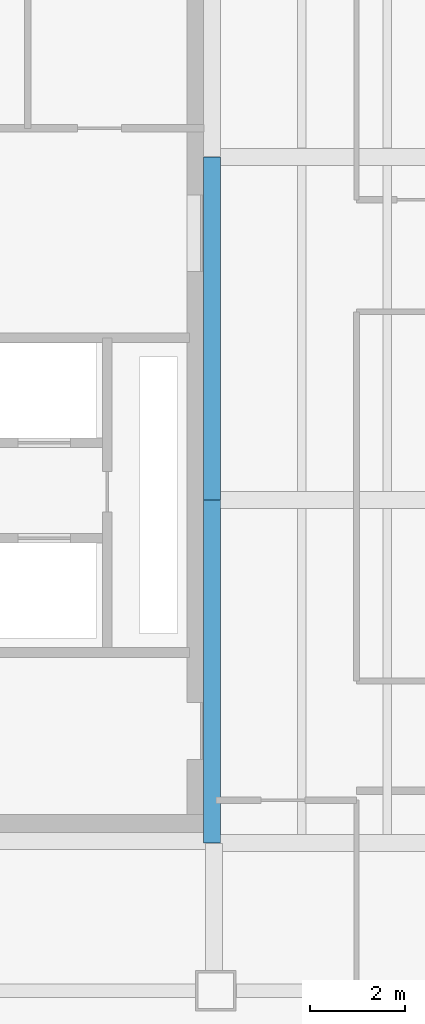
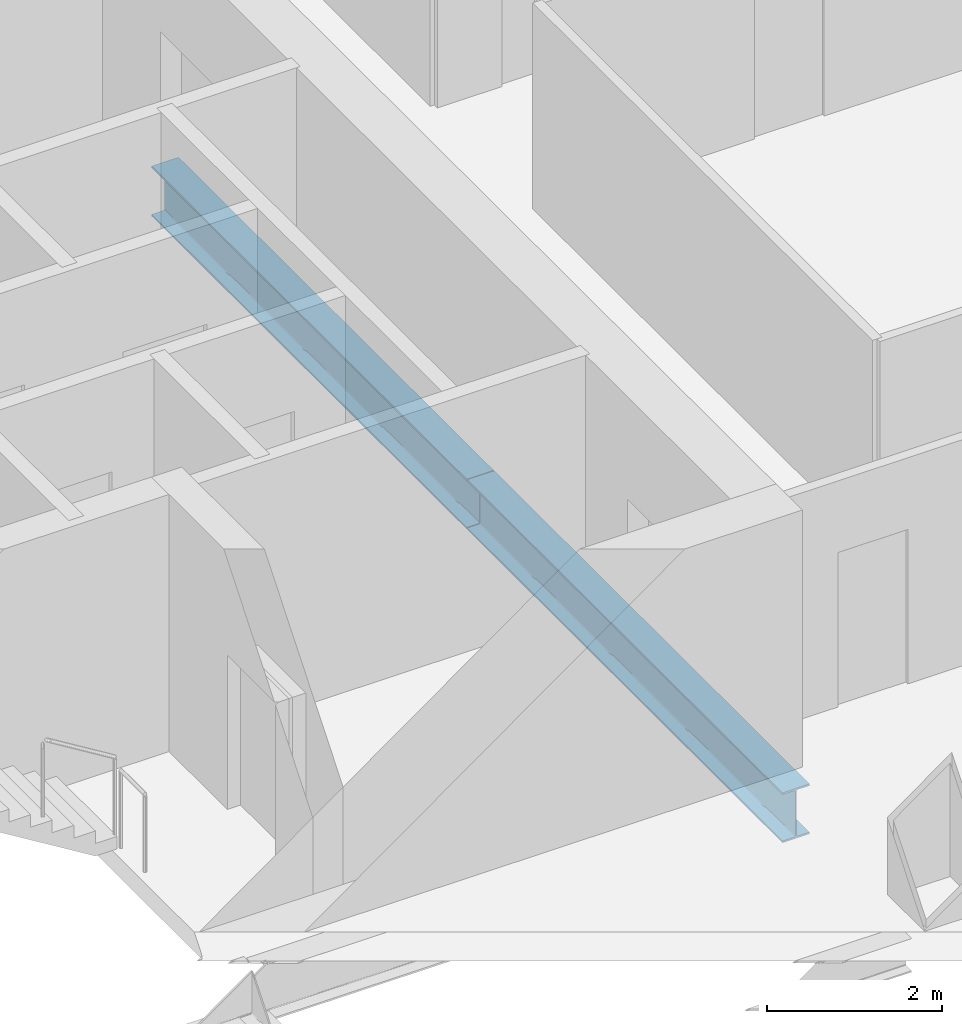
# One storey, part 3 of 23: 2 beams.
"""IFC4 building model written with IfcOpenShell, lengths in metres."""

from ifc_helpers import new_model, si_unit, direction, frame, origin, origin_2d, place, context, subcontext, project, spatial, i_section, extrude, material, material_profile, profile_set, type_object, element, save


model = new_model("IFC4")

# Units and contexts
model_context = context("Model", 3, precision=1e-05, world=origin(), true_north=direction((0.0, 1.0)))
body_context = subcontext(model_context, "Body", "Model", "MODEL_VIEW")
ifc_project = project(units=[si_unit("LENGTHUNIT", "METRE"), si_unit("AREAUNIT", "SQUARE_METRE"), si_unit("VOLUMEUNIT", "CUBIC_METRE"), si_unit("PLANEANGLEUNIT", "RADIAN"), si_unit("MASSUNIT", "GRAM", prefix="KILO")], contexts=[model_context])

# Site, building, storey
site_placement = place(None, origin())
site = spatial("IfcSite", under=ifc_project, at=site_placement, CompositionType="ELEMENT")
building_placement = place(site_placement, origin())
building = spatial("IfcBuilding", under=site, at=building_placement, Name="Cobrela Telecom Tower", CompositionType="ELEMENT")
storey_placement = place(building_placement, frame((0.0, 0.0, 156.10009765625)))
storey = spatial("IfcBuildingStorey", under=building, at=storey_placement, Name="L39", CompositionType="ELEMENT", Elevation=156.10009765625)

# Beams
ifc_material = material(Name="Steel ASTM A992 Grade 50", Category="steel")
ifc_material_profile = material_profile(ifc_material, i_section(OverallWidth=0.35595703125, OverallDepth=0.696044921875, WebThickness=0.015380859375, FlangeThickness=0.024658203125, FilletRadius=0.01806640625, at=origin_2d()), Name="W27X146")
ifc_profile_set = profile_set([ifc_material_profile], Name="Steel ASTM A992 Grade 50")
beam_type = type_object("IfcBeamType", Name="BM-GIRD-05", PredefinedType="USERDEFINED", material=ifc_profile_set)
for number, where, z_axis, x_axis, name in (
    (1, (14.320068359375, 7.205078125, -0.6181640625), (0.0, 1.0, 0.0), (-1.0, 0.0, 0.0), "L39 Primary Girder Y30"),
    (2, (14.320068359375, 14.405029296875, -0.6181640625), (0.0, 1.0, 0.0), (-1.0, 0.0, 0.0), "L39 Primary Girder Y31"),
):
    element("IfcBeam", number, at=place(storey_placement, frame(where, z_axis=z_axis, x_axis=x_axis)), inside=storey, type_object=beam_type, Name=name, ObjectType="GIRDER", PredefinedType="USERDEFINED", context=body_context, shape_type="SweptSolid", body=[
        extrude(i_section(OverallWidth=0.35595703125, OverallDepth=0.696044921875, WebThickness=0.015380859375, FlangeThickness=0.024658203125, FilletRadius=0.01806640625, at=origin_2d()), origin(), (0.0, 0.0, 1.0), 7.18994140625),
    ])

save(model, "model.ifc")
